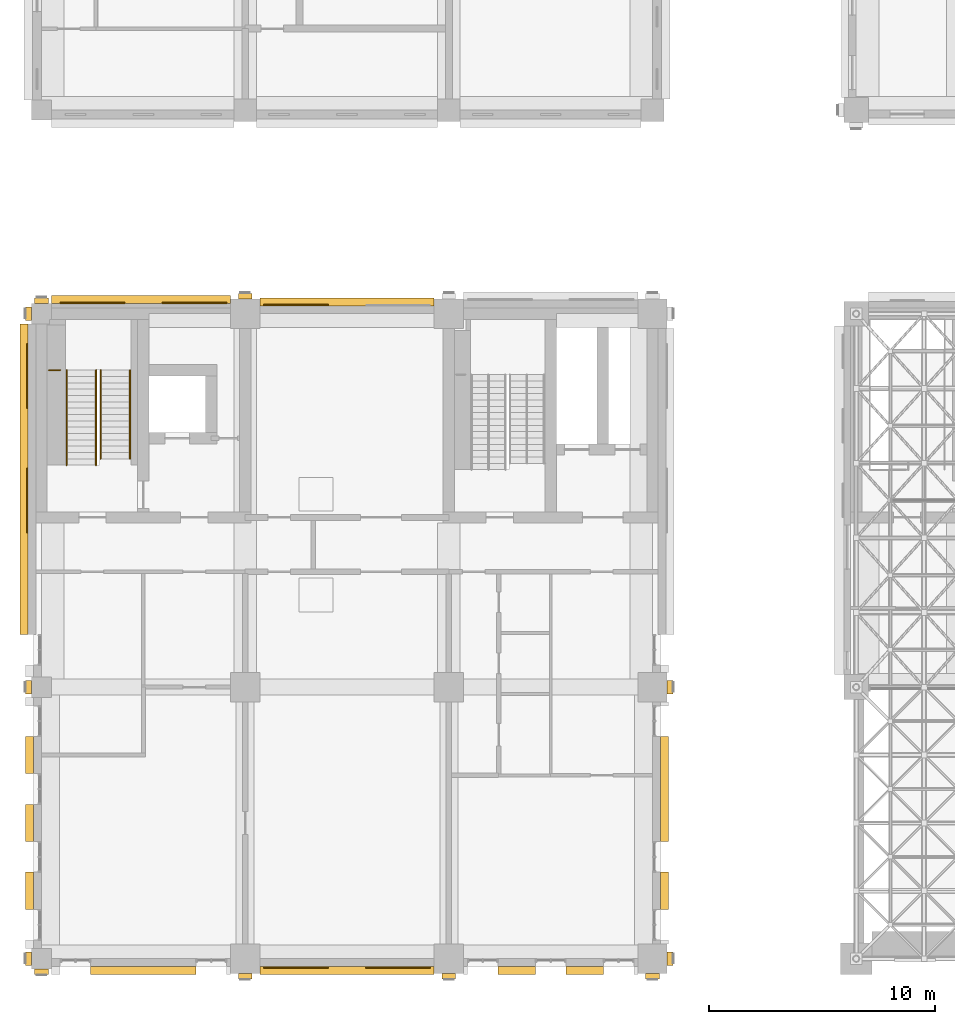
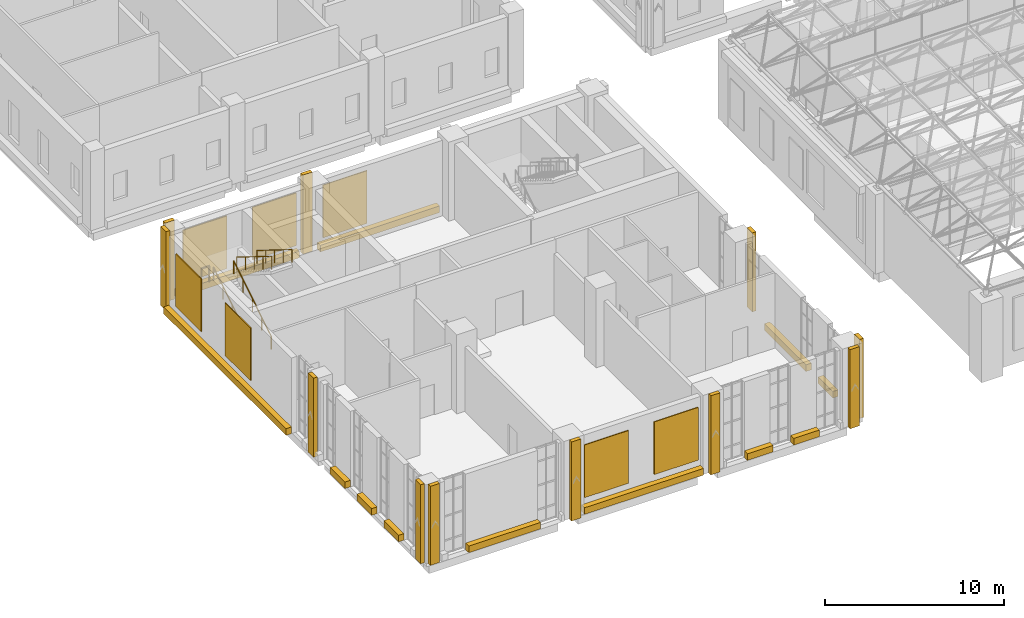
# One storey, part 40 of 53: 30 coverings, 5 railings.
"""IFC4 building model written with IfcOpenShell, lengths in metres."""

import ifcopenshell
import ifcopenshell.guid

model = None  # the IFC model being written
_history = None  # IfcOwnerHistory: only IFC2X3 demands one
_inside = {}  # id of a spatial element -> (the spatial element, [elements in it])
_under = {}  # id of a project, library or spatial element -> (it, [spatial elements below it])
_declared = {}  # id of a project -> (the project, [libraries it declares])
_typed = {}  # id of a type object -> (the type object, [elements of that type])
_made_of = {}  # id of a material, layer set ... -> (it, [elements and type objects made of it])


def new_model(schema):
    """Start an empty IFC model of exactly this schema.

    Asked for "IFC4X3", IfcOpenShell would pick the latest addendum, in which some entities
    have other attributes; the version numbers below select the first issue.
    IFC2X3 requires an IfcOwnerHistory on every rooted entity: one is made here for all.
    """
    global model, _history
    if schema == "IFC4X3":
        model = ifcopenshell.file(schema_version=(4, 3, 0, 0))
    else:
        model = ifcopenshell.file(schema=schema)
    _inside.clear()
    _under.clear()
    _declared.clear()
    _typed.clear()
    _made_of.clear()
    _history = None
    if model.schema == "IFC2X3":
        org = make("IfcOrganization", Name="unknown")
        user = make(
            "IfcPersonAndOrganization",
            ThePerson=make("IfcPerson", FamilyName="unknown"),
            TheOrganization=org,
        )
        app = make(
            "IfcApplication",
            ApplicationDeveloper=org,
            Version="unknown",
            ApplicationFullName="unknown",
            ApplicationIdentifier="unknown",
        )
        _history = make(
            "IfcOwnerHistory",
            OwningUser=user,
            OwningApplication=app,
            ChangeAction="ADDED",
            CreationDate=0,
        )
    return model


def make(cls, **values):
    """One entity of the class cls with the attributes given. An attribute that is None is left unset."""
    return model.create_entity(
        cls, **{name: value for name, value in values.items() if value is not None}
    )


def rooted(cls, **values):
    """An entity with a GlobalId (a new one), such as an element, a storey or a relation."""
    return make(cls, GlobalId=ifcopenshell.guid.new(), OwnerHistory=_history, **values)


def si_unit(unit_type, name, prefix=None):
    """IfcSIUnit, for example si_unit("LENGTHUNIT", "METRE", prefix="MILLI")."""
    return make("IfcSIUnit", UnitType=unit_type, Prefix=prefix, Name=name)


def assignment(units):
    """IfcUnitAssignment: the units of a project."""
    return None if units is None else make("IfcUnitAssignment", Units=units)


def point(xyz):
    """IfcCartesianPoint."""
    return None if xyz is None else make("IfcCartesianPoint", Coordinates=xyz)


def direction(xyz):
    """IfcDirection."""
    return None if xyz is None else make("IfcDirection", DirectionRatios=xyz)


def frame(location, z_axis=None, x_axis=None):
    """IfcAxis2Placement3D, a coordinate frame: its origin and axes. An axis left out is left unset."""
    return make(
        "IfcAxis2Placement3D",
        Location=point(location),
        Axis=direction(z_axis),
        RefDirection=direction(x_axis),
    )


def frame_2d(location, x_axis=None):
    """IfcAxis2Placement2D, a coordinate frame in the plane: its origin and x axis."""
    return make(
        "IfcAxis2Placement2D", Location=point(location), RefDirection=direction(x_axis)
    )


def origin():
    """The frame at (0, 0, 0) with its axes left unset."""
    return frame((0.0, 0.0, 0.0))


def origin_2d():
    """The frame at (0, 0) in the plane with its x axis left unset."""
    return frame_2d((0.0, 0.0))


def place(relative_to, where):
    """IfcLocalPlacement: puts the frame where relative to a parent placement (None: the world)."""
    return make(
        "IfcLocalPlacement", PlacementRelTo=relative_to, RelativePlacement=where
    )


def context(
    kind, dimensions, precision=None, world=None, true_north=None, identifier=None
):
    """IfcGeometricRepresentationContext, for example the 3D "Model" context."""
    return make(
        "IfcGeometricRepresentationContext",
        ContextIdentifier=identifier,
        ContextType=kind,
        CoordinateSpaceDimension=dimensions,
        Precision=precision,
        WorldCoordinateSystem=world,
        TrueNorth=true_north,
    )


def subcontext(parent, identifier, kind, view, scale=None):
    """IfcGeometricRepresentationSubContext, for example "Body" below "Model"."""
    return make(
        "IfcGeometricRepresentationSubContext",
        ContextIdentifier=identifier,
        ContextType=kind,
        ParentContext=parent,
        TargetScale=scale,
        TargetView=view,
    )


def project(units=None, contexts=None):
    """IfcProject with its units and contexts."""
    return rooted(
        "IfcProject",
        Name="project",
        RepresentationContexts=contexts,
        UnitsInContext=assignment(units),
    )


def spatial(cls, under=None, at=None, **own):
    """A site, building, storey or space (cls), placed at a placement, below another one or the project."""
    s = rooted(cls, ObjectPlacement=at, **own)
    if under is not None:
        _under.setdefault(under.id(), (under, []))[1].append(s)
    return s


def profile(cls, at=None, kind="AREA", **sizes):
    """A parametric profile (cls). Its sizes go by their IFC names, for example OverallWidth=200.0."""
    return make(cls, ProfileType=kind, Position=at, **sizes)


def rectangle(**sizes):
    """IfcRectangleProfileDef."""
    return profile("IfcRectangleProfileDef", **sizes)


def circle(**sizes):
    """IfcCircleProfileDef."""
    return profile("IfcCircleProfileDef", **sizes)


def extrude(swept, where, along, depth):
    """IfcExtrudedAreaSolid: the profile swept, set in the frame where, extruded along a direction by depth."""
    return make(
        "IfcExtrudedAreaSolid",
        SweptArea=swept,
        Position=where,
        ExtrudedDirection=direction(along),
        Depth=depth,
    )


def shape(context_of_items, identifier, shape_type, items):
    """IfcShapeRepresentation: the items that make up one representation, for example the "Body"."""
    return make(
        "IfcShapeRepresentation",
        ContextOfItems=context_of_items,
        RepresentationIdentifier=identifier,
        RepresentationType=shape_type,
        Items=items,
    )


def material(Name=None, Category=None):
    """IfcMaterial."""
    return make("IfcMaterial", Name=Name, Category=Category)


def layer(
    of_material, thickness, ventilated=None, Name=None, Category=None, Priority=None
):
    """IfcMaterialLayer: one layer of a wall or slab, of a material (None: an air gap)."""
    return make(
        "IfcMaterialLayer",
        Material=of_material,
        LayerThickness=thickness,
        IsVentilated=ventilated,
        Name=Name,
        Category=Category,
        Priority=Priority,
    )


def layer_set(layers, Name=None):
    """IfcMaterialLayerSet."""
    return make("IfcMaterialLayerSet", MaterialLayers=layers, LayerSetName=Name)


def made_of(thing, what):
    """Note that an element or type object is made of a material, layer set ...; save() writes the relation."""
    if what is not None:
        _made_of.setdefault(what.id(), (what, []))[1].append(thing)
    return thing


def type_object(cls, material=None, **own):
    """A type object (cls), such as IfcWallType, which elements share."""
    return made_of(rooted(cls, **own), material)


def element(
    cls,
    number,
    at=None,
    inside=None,
    cuts=None,
    type_object=None,
    material=None,
    context=None,
    identifier="Body",
    shape_type=None,
    held_by="IfcProductDefinitionShape",
    body=None,
    shapes=None,
    **own,
):
    """One element of the class cls, such as IfcWall. Its Tag is "e" and its number.

    at: its placement. inside: the storey or other place that contains it. cuts: it is an
    opening in that element (IfcRelVoidsElement). A single representation is given by context,
    identifier, shape_type and body (its items); several are given by shapes. held_by: the class
    of the entity that holds the representations. save() writes the other relations.
    """
    e = rooted(cls, Tag="e%d" % number, ObjectPlacement=at, **own)
    if body is not None:
        shapes = [shape(context, identifier, shape_type, body)]
    if shapes is not None:
        e.Representation = make(held_by, Representations=shapes)
    if inside is not None:
        _inside.setdefault(inside.id(), (inside, []))[1].append(e)
    if cuts is not None:
        rooted(
            "IfcRelVoidsElement", RelatingBuildingElement=cuts, RelatedOpeningElement=e
        )
    if type_object is not None:
        _typed.setdefault(type_object.id(), (type_object, []))[1].append(e)
    return made_of(e, material)


def aggregate(whole, parts):
    """IfcRelAggregates: a whole, such as a stair, and the parts it consists of."""
    return rooted("IfcRelAggregates", RelatingObject=whole, RelatedObjects=parts)


def save(model, path):
    """Write the relations noted so far, then the file.

    IfcRelAggregates (storeys below a building ...), IfcRelContainedInSpatialStructure (elements
    in a storey), IfcRelDefinesByType, IfcRelAssociatesMaterial and IfcRelDeclares: one each for
    every whole, place, type object, material and project.
    """
    for whole, parts in _under.values():
        aggregate(whole, parts)
    for where, things in _inside.values():
        rooted(
            "IfcRelContainedInSpatialStructure",
            RelatedElements=things,
            RelatingStructure=where,
        )
    for kind, things in _typed.values():
        rooted("IfcRelDefinesByType", RelatedObjects=things, RelatingType=kind)
    for what, things in _made_of.values():
        rooted("IfcRelAssociatesMaterial", RelatedObjects=things, RelatingMaterial=what)
    for by, libraries in _declared.values():
        rooted("IfcRelDeclares", RelatingContext=by, RelatedDefinitions=libraries)
    model.write(path)


model = new_model("IFC4")

# Units and contexts
model_context = context("Model", 3, precision=1e-05, world=origin(), true_north=direction((0.0, 1.0)))
body_context = subcontext(model_context, "Body", "Model", "MODEL_VIEW")
ifc_project = project(units=[si_unit("LENGTHUNIT", "METRE"), si_unit("AREAUNIT", "SQUARE_METRE"), si_unit("VOLUMEUNIT", "CUBIC_METRE"), si_unit("PLANEANGLEUNIT", "RADIAN"), si_unit("MASSUNIT", "GRAM", prefix="KILO")], contexts=[model_context])

# Site, building, storey
site_placement = place(None, origin())
site = spatial("IfcSite", under=ifc_project, at=site_placement, CompositionType="ELEMENT")
building_placement = place(site_placement, origin())
building = spatial("IfcBuilding", under=site, at=building_placement, Name="Aurelan Courthouse", CompositionType="ELEMENT")
storey_placement = place(building_placement, frame((0.0, 0.0, 12.0)))
storey = spatial("IfcBuildingStorey", under=building, at=storey_placement, Name="L02", CompositionType="ELEMENT", Elevation=12.0)

# Coverings
ifc_material_1 = material(Name="Bronze sheet cladding")
ifc_layer = layer(ifc_material_1, 0.06005859375)
ifc_layer_set = layer_set([ifc_layer], Name="Bronze sheet cladding")
covering_type_1 = type_object("IfcCoveringType", Name="Courts' Floors blind bay 2850 x 3600", PredefinedType="CLADDING", material=ifc_layer_set)
for number, where, z_axis, x_axis, name in (
    (1, (11.25, -0.3798828125, 0.89990234375), (0.0, 0.0, 1.0), (1.0, 0.0, 0.0), "Blind bay BB-V5-L02-001"),
    (2, (15.75, -0.3798828125, 0.89990234375), (0.0, 0.0, 1.0), (1.0, 0.0, 0.0), "Blind bay BB-V5-L02-002"),
    (3, (2.25, 28.97998046875, 0.89990234375), (0.0, 0.0, 1.0), (1.0, 0.0, 0.0), "Blind bay BB-V5-L02-003"),
    (4, (6.75, 28.97998046875, 0.89990234375), (0.0, 0.0, 1.0), (1.0, 0.0, 0.0), "Blind bay BB-V5-L02-004"),
    (5, (11.25, 28.8798828125, 0.89990234375), (0.0, 0.0, 1.0), (1.0, 0.0, 0.0), "Blind bay BB-V5-L02-005"),
):
    element("IfcCovering", number, at=place(storey_placement, frame(where, z_axis=z_axis, x_axis=x_axis)), inside=storey, type_object=covering_type_1, Name=name, PredefinedType="CLADDING", context=body_context, shape_type="SweptSolid", body=[
        extrude(rectangle(XDim=2.85009765625, YDim=0.06005859375, at=origin_2d()), origin(), (0.0, 0.0, 1.0), 3.60009765625),
    ])
for number, where, z_axis, x_axis, name in (
    (6, (-0.6298828125, 20.25, 0.89990234375), (0.0, 0.0, 1.0), (1.0, 0.0, 0.0), "Blind bay BB-V5-L02-011"),
    (7, (-0.6298828125, 25.75, 0.89990234375), (0.0, 0.0, 1.0), (1.0, 0.0, 0.0), "Blind bay BB-V5-L02-012"),
):
    element("IfcCovering", number, at=place(storey_placement, frame(where, z_axis=z_axis, x_axis=x_axis)), inside=storey, type_object=covering_type_1, Name=name, PredefinedType="CLADDING", context=body_context, shape_type="SweptSolid", body=[
        extrude(rectangle(XDim=0.06005859375, YDim=2.85009765625, at=origin_2d()), origin(), (0.0, 0.0, 1.0), 3.60009765625),
    ])
ifc_material_2 = material(Name="Limestone cladding", Category="masonry")
covering_type_2 = type_object("IfcCoveringType", Name="Courts' Floors pilaster fin 600 x 250", PredefinedType="CLADDING", material=ifc_material_2)
for number, where, z_axis, x_axis, name in (
    (8, (0.0, -0.574951171875, 0.0), (0.0, 0.0, 1.0), (1.0, 0.0, 0.0), "Pilaster fin FN-V5-001"),
    (9, (9.0, -0.77490234375, 0.0), (0.0, 0.0, 1.0), (1.0, 0.0, 0.0), "Pilaster fin FN-V5-002"),
    (10, (18.0, -0.77490234375, 0.0), (0.0, 0.0, 1.0), (1.0, 0.0, 0.0), "Pilaster fin FN-V5-003"),
    (11, (27.0, -0.77490234375, 0.0), (0.0, 0.0, 1.0), (1.0, 0.0, 0.0), "Pilaster fin FN-V5-004"),
    (12, (0.0, 29.074951171875, 0.0), (0.0, 0.0, 1.0), (1.0, 0.0, 0.0), "Pilaster fin FN-V5-005"),
    (13, (9.0, 29.27490234375, 0.0), (0.0, 0.0, 1.0), (1.0, 0.0, 0.0), "Pilaster fin FN-V5-006"),
):
    element("IfcCovering", number, at=place(storey_placement, frame(where, z_axis=z_axis, x_axis=x_axis)), inside=storey, type_object=covering_type_2, Name=name, PredefinedType="CLADDING", context=body_context, shape_type="SweptSolid", body=[
        extrude(rectangle(XDim=0.60009765625, YDim=0.25, at=origin_2d()), origin(), (0.0, 0.0, 1.0), 5.39990234375),
    ])
for number, where, z_axis, x_axis, name in (
    (14, (27.77490234375, 0.0, 0.0), (0.0, 0.0, 1.0), (1.0, 0.0, 0.0), "Pilaster fin FN-V5-009"),
    (15, (27.77490234375, 12.0, 0.0), (0.0, 0.0, 1.0), (1.0, 0.0, 0.0), "Pilaster fin FN-V5-010"),
    (16, (-0.574951171875, 0.0, 0.0), (0.0, 0.0, 1.0), (1.0, 0.0, 0.0), "Pilaster fin FN-V5-012"),
    (17, (-0.574951171875, 12.0, 0.0), (0.0, 0.0, 1.0), (1.0, 0.0, 0.0), "Pilaster fin FN-V5-013"),
    (18, (-0.574951171875, 28.5, 0.0), (0.0, 0.0, 1.0), (1.0, 0.0, 0.0), "Pilaster fin FN-V5-014"),
):
    element("IfcCovering", number, at=place(storey_placement, frame(where, z_axis=z_axis, x_axis=x_axis)), inside=storey, type_object=covering_type_2, Name=name, PredefinedType="CLADDING", context=body_context, shape_type="SweptSolid", body=[
        extrude(rectangle(XDim=0.25, YDim=0.60009765625, at=origin_2d()), origin(), (0.0, 0.0, 1.0), 5.39990234375),
    ])
covering_type_3 = type_object("IfcCoveringType", Name="Courts' Floors string course 450 x 350", PredefinedType="CLADDING", material=ifc_material_2)
covering_1_placement = place(storey_placement, frame((4.5, -0.52490234375, 0.0), z_axis=(0.0, 0.0, 1.0), x_axis=(1.0, 0.0, 0.0)))
element("IfcCovering", 19, at=covering_1_placement, inside=storey, type_object=covering_type_3, Name="String course SC-V5-002", PredefinedType="CLADDING", context=body_context, shape_type="SweptSolid", body=[
    extrude(rectangle(XDim=4.64990234375, YDim=0.35009765625, at=origin_2d()), origin(), (0.0, 0.0, 1.0), 0.449951171875),
])
covering_2_placement = place(storey_placement, frame((13.5, -0.52490234375, 0.0), z_axis=(0.0, 0.0, 1.0), x_axis=(1.0, 0.0, 0.0)))
element("IfcCovering", 20, at=covering_2_placement, inside=storey, type_object=covering_type_3, Name="String course SC-V5-004", PredefinedType="CLADDING", context=body_context, shape_type="SweptSolid", body=[
    extrude(rectangle(XDim=7.699951171875, YDim=0.35009765625, at=origin_2d()), origin(), (0.0, 0.0, 1.0), 0.449951171875),
])
for number, where, z_axis, x_axis, name in (
    (21, (21.0, -0.52490234375, 0.0), (0.0, 0.0, 1.0), (1.0, 0.0, 0.0), "String course SC-V5-006"),
    (22, (24.0, -0.52490234375, 0.0), (0.0, 0.0, 1.0), (1.0, 0.0, 0.0), "String course SC-V5-007"),
):
    element("IfcCovering", number, at=place(storey_placement, frame(where, z_axis=z_axis, x_axis=x_axis)), inside=storey, type_object=covering_type_3, Name=name, PredefinedType="CLADDING", context=body_context, shape_type="SweptSolid", body=[
        extrude(rectangle(XDim=1.64990234375, YDim=0.35009765625, at=origin_2d()), origin(), (0.0, 0.0, 1.0), 0.449951171875),
    ])
for number, where, z_axis, x_axis, name in (
    (23, (-0.52490234375, 3.0, 0.0), (0.0, 0.0, 1.0), (1.0, 0.0, 0.0), "String course SC-V5-011"),
    (24, (27.52490234375, 3.0, 0.0), (0.0, 0.0, 1.0), (1.0, 0.0, 0.0), "String course SC-V5-012"),
    (25, (-0.52490234375, 6.0, 0.0), (0.0, 0.0, 1.0), (1.0, 0.0, 0.0), "String course SC-V5-013"),
):
    element("IfcCovering", number, at=place(storey_placement, frame(where, z_axis=z_axis, x_axis=x_axis)), inside=storey, type_object=covering_type_3, Name=name, PredefinedType="CLADDING", context=body_context, shape_type="SweptSolid", body=[
        extrude(rectangle(XDim=0.35009765625, YDim=1.64990234375, at=origin_2d()), origin(), (0.0, 0.0, 1.0), 0.449951171875),
    ])
covering_3_placement = place(storey_placement, frame((27.52490234375, 7.5, 0.0), z_axis=(0.0, 0.0, 1.0), x_axis=(1.0, 0.0, 0.0)))
element("IfcCovering", 26, at=covering_3_placement, inside=storey, type_object=covering_type_3, Name="String course SC-V5-014", PredefinedType="CLADDING", context=body_context, shape_type="SweptSolid", body=[
    extrude(rectangle(XDim=0.35009765625, YDim=4.64990234375, at=origin_2d()), origin(), (0.0, 0.0, 1.0), 0.449951171875),
])
covering_4_placement = place(storey_placement, frame((-0.52490234375, 9.0, 0.0), z_axis=(0.0, 0.0, 1.0), x_axis=(1.0, 0.0, 0.0)))
element("IfcCovering", 27, at=covering_4_placement, inside=storey, type_object=covering_type_3, Name="String course SC-V5-015", PredefinedType="CLADDING", context=body_context, shape_type="SweptSolid", body=[
    extrude(rectangle(XDim=0.35009765625, YDim=1.64990234375, at=origin_2d()), origin(), (0.0, 0.0, 1.0), 0.449951171875),
])
covering_5_placement = place(storey_placement, frame((-0.77490234375, 21.1875, 0.0), z_axis=(0.0, 0.0, 1.0), x_axis=(1.0, 0.0, 0.0)))
element("IfcCovering", 28, at=covering_5_placement, inside=storey, type_object=covering_type_3, Name="String course SC-V5-020", PredefinedType="CLADDING", context=body_context, shape_type="SweptSolid", body=[
    extrude(rectangle(XDim=0.35009765625, YDim=13.72509765625, at=origin_2d()), origin(), (0.0, 0.0, 1.0), 0.449951171875),
])
covering_6_placement = place(storey_placement, frame((13.5, 29.02490234375, 0.0), z_axis=(0.0, 0.0, 1.0), x_axis=(1.0, 0.0, 0.0)))
element("IfcCovering", 29, at=covering_6_placement, inside=storey, type_object=covering_type_3, Name="String course SC-V5-022", PredefinedType="CLADDING", context=body_context, shape_type="SweptSolid", body=[
    extrude(rectangle(XDim=7.699951171875, YDim=0.35009765625, at=origin_2d()), origin(), (0.0, 0.0, 1.0), 0.449951171875),
])
covering_7_placement = place(storey_placement, frame((4.39990234375, 29.125, 0.0), z_axis=(0.0, 0.0, 1.0), x_axis=(1.0, 0.0, 0.0)))
element("IfcCovering", 30, at=covering_7_placement, inside=storey, type_object=covering_type_3, Name="String course SC-V5-023", PredefinedType="CLADDING", context=body_context, shape_type="SweptSolid", body=[
    extrude(rectangle(XDim=7.89990234375, YDim=0.35009765625, at=origin_2d()), origin(), (0.0, 0.0, 1.0), 0.449951171875),
])

# Railings
ifc_material_3 = material(Name="Steel S355", Category="steel")
railing_type_1 = type_object("IfcRailingType", Name="Stair guard 1100", PredefinedType="GUARDRAIL", material=ifc_material_3)
railing_placement = place(storey_placement, frame((0.830078125, 26.010009765625, 2.787109375)))
element("IfcRailing", 31, at=railing_placement, inside=storey, type_object=railing_type_1, Name="Guard ST-5B-L02-GL1", PredefinedType="GUARDRAIL", context=body_context, shape_type="SweptSolid", body=[
    extrude(circle(Radius=0.02392578125, at=origin_2d()), frame((0.0, 0.0, 1.076171875), z_axis=(-1.0, 0.0, 0.0), x_axis=(0.0, -1.0, 0.0)), (0.0, 0.0, 1.0), 0.5),
    extrude(circle(Radius=0.02099609375, at=origin_2d()), origin(), (0.0, 0.0, 1.0), 1.052001953125),
    extrude(circle(Radius=0.02099609375, at=origin_2d()), frame((-0.5, 0.0, 0.0)), (0.0, 0.0, 1.0), 1.052001953125),
])
railing_type_2 = type_object("IfcRailingType", Name="Stair handrail 900", PredefinedType="HANDRAIL", material=ifc_material_3)
for number, where, name in (
    (32, (1.110107421875, 21.81005859375, 0.17431640625), "Handrail ST-5B-L02-H1"),
    (33, (2.409912109375, 21.81005859375, 0.17431640625), "Handrail ST-5B-L02-H2"),
):
    element("IfcRailing", number, at=place(storey_placement, frame(where)), inside=storey, type_object=railing_type_2, Name=name, PredefinedType="HANDRAIL", context=body_context, shape_type="SweptSolid", body=[
        extrude(circle(Radius=0.02392578125, at=origin_2d()), frame((0.0, 0.0, 0.8759765625), z_axis=(0.0, 0.849102848233, 0.528227558088), x_axis=(-1.0, 0.0, 0.0)), (0.0, 0.0, 1.0), 4.9462890625),
        extrude(circle(Radius=0.02099609375, at=origin_2d()), origin(), (0.0, 0.0, 1.0), 0.851806640625),
        extrude(circle(Radius=0.02099609375, at=origin_2d()), frame((0.0, 1.050048828125, 0.6533203125)), (0.0, 0.0, 1.0), 0.851806640625),
        extrude(circle(Radius=0.02099609375, at=origin_2d()), frame((0.0, 2.10009765625, 1.306396484375)), (0.0, 0.0, 1.0), 0.851806640625),
        extrude(circle(Radius=0.02099609375, at=origin_2d()), frame((0.0, 3.14990234375, 1.95947265625)), (0.0, 0.0, 1.0), 0.851806640625),
        extrude(circle(Radius=0.02099609375, at=origin_2d()), frame((0.0, 4.199951171875, 2.61279296875)), (0.0, 0.0, 1.0), 0.851806640625),
    ])
for number, where, name in (
    (34, (2.610107421875, 26.010009765625, 2.961181640625), "Handrail ST-5B-L02-H3"),
    (35, (3.909912109375, 26.010009765625, 2.961181640625), "Handrail ST-5B-L02-H4"),
):
    element("IfcRailing", number, at=place(storey_placement, frame(where)), inside=storey, type_object=railing_type_2, Name=name, PredefinedType="HANDRAIL", context=body_context, shape_type="SweptSolid", body=[
        extrude(circle(Radius=0.02392578125, at=origin_2d()), frame((0.0, 0.0, 0.8759765625), z_axis=(0.0, -0.849089811655, 0.528248513243), x_axis=(1.0, 0.0, 0.0)), (0.0, 0.0, 1.0), 4.61669921875),
        extrude(circle(Radius=0.02099609375, at=origin_2d()), origin(), (0.0, 0.0, 1.0), 0.851806640625),
        extrude(circle(Radius=0.02099609375, at=origin_2d()), frame((0.0, -0.97998046875, 0.609619140625)), (0.0, 0.0, 1.0), 0.851806640625),
        extrude(circle(Radius=0.02099609375, at=origin_2d()), frame((0.0, -1.9599609375, 1.21923828125)), (0.0, 0.0, 1.0), 0.851806640625),
        extrude(circle(Radius=0.02099609375, at=origin_2d()), frame((0.0, -2.93994140625, 1.8291015625)), (0.0, 0.0, 1.0), 0.851806640625),
        extrude(circle(Radius=0.02099609375, at=origin_2d()), frame((0.0, -3.919921875, 2.438720703125)), (0.0, 0.0, 1.0), 0.851806640625),
    ])

save(model, "model.ifc")
